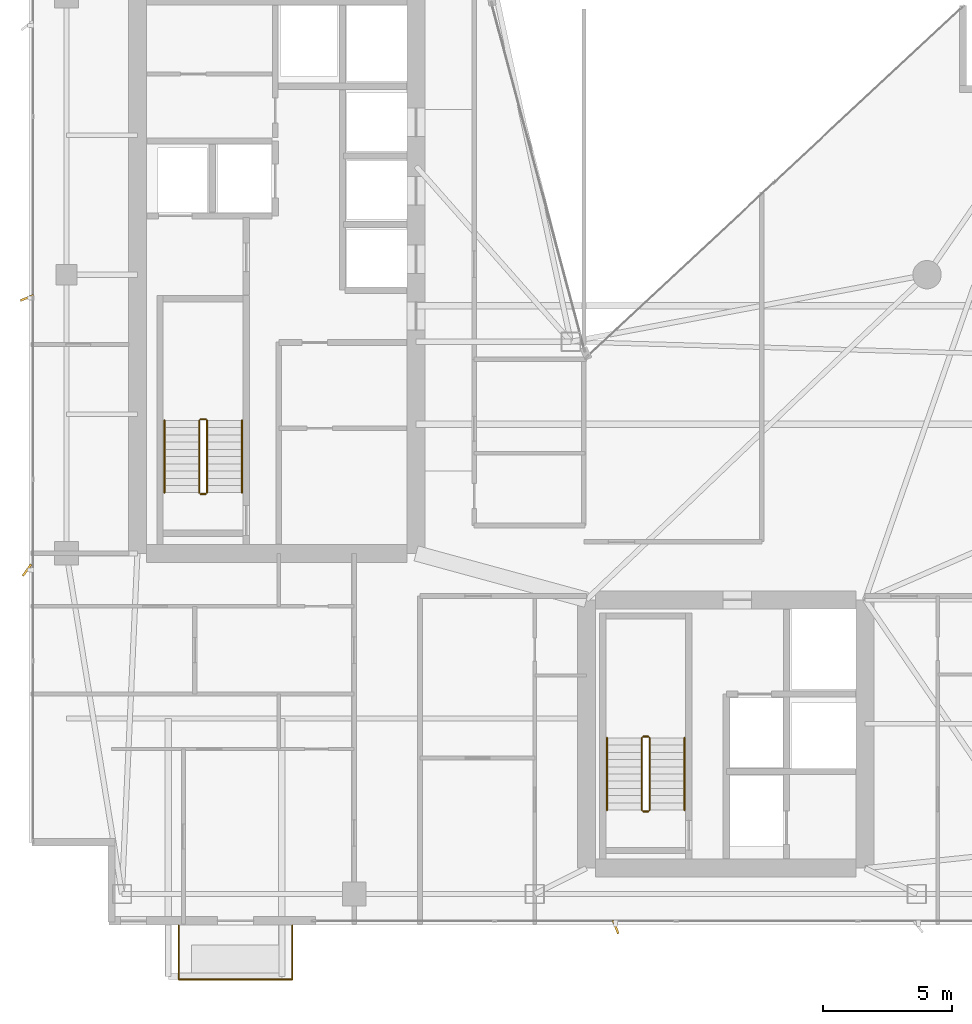
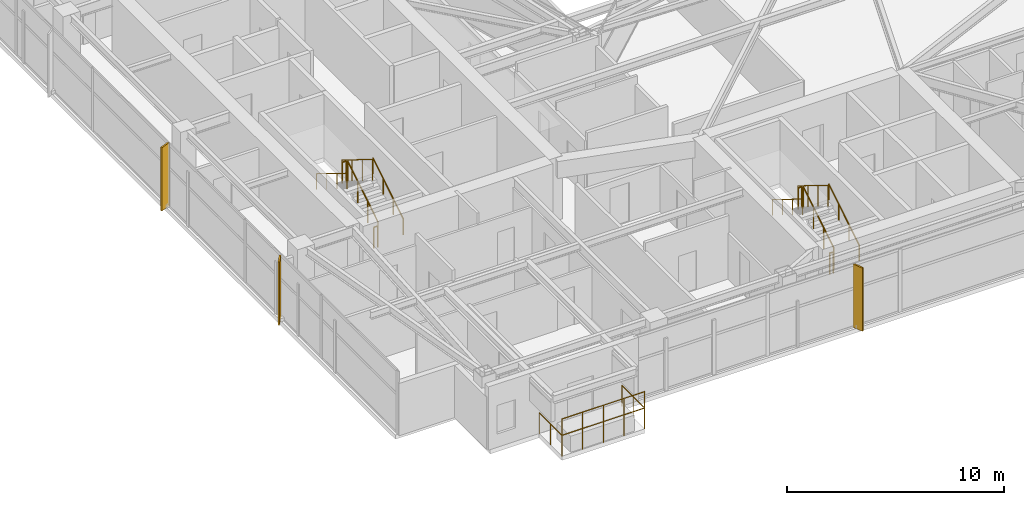
# One storey, part 26 of 27: 14 railings, 3 shading devices.
"""IFC4 building model written with IfcOpenShell, lengths in metres."""

from ifc_helpers import new_model, si_unit, direction, frame, origin, origin_2d, place, context, subcontext, project, spatial, rectangle, circle, extrude, material, type_object, element, save


model = new_model("IFC4")

# Units and contexts
model_context = context("Model", 3, precision=1e-05, world=origin(), true_north=direction((0.0, 1.0)))
body_context = subcontext(model_context, "Body", "Model", "MODEL_VIEW")
ifc_project = project(units=[si_unit("LENGTHUNIT", "METRE"), si_unit("AREAUNIT", "SQUARE_METRE"), si_unit("VOLUMEUNIT", "CUBIC_METRE"), si_unit("PLANEANGLEUNIT", "RADIAN"), si_unit("MASSUNIT", "GRAM", prefix="KILO")], contexts=[model_context])

# Site, building, storey
site_placement = place(None, origin())
site = spatial("IfcSite", under=ifc_project, at=site_placement, CompositionType="ELEMENT")
building_placement = place(site_placement, origin())
building = spatial("IfcBuilding", under=site, at=building_placement, Name="Calvorn Quay Hotel", CompositionType="ELEMENT")
storey_placement = place(building_placement, frame((0.0, 0.0, 226.89990234375)))
storey = spatial("IfcBuildingStorey", under=building, at=storey_placement, Name="L56", CompositionType="ELEMENT", Elevation=226.89990234375)

# Railings
ifc_material_1 = material(Name="Pale Anodised Aluminium and Laminated Glass", Category="aluminium")
railing_type_1 = type_object("IfcRailingType", Name="RLG-BALUSTRADE-1200", PredefinedType="BALUSTRADE", material=ifc_material_1)
railing_1_placement = place(storey_placement, frame((5.800048828125, 2.389892578125, 0.0)))
element("IfcRailing", 1, at=railing_1_placement, inside=storey, type_object=railing_type_1, Name="Tree Balcony Perimeter Balustrade L56-BALC-S", PredefinedType="BALUSTRADE", context=body_context, shape_type="SweptSolid", body=[
    extrude(circle(Radius=0.02392578125, at=origin_2d()), frame((0.0, 0.0, 1.17578125), z_axis=(0.0, -1.0, 0.0), x_axis=(1.0, 0.0, 0.0)), (0.0, 0.0, 1.0), 2.099853515625),
    extrude(circle(Radius=0.02392578125, at=origin_2d()), frame((0.0, -2.099853515625, 1.17578125), z_axis=(1.0, 0.0, 0.0), x_axis=(0.0, 1.0, 0.0)), (0.0, 0.0, 1.0), 4.39990234375),
    extrude(circle(Radius=0.02392578125, at=origin_2d()), frame((4.39990234375, -2.099853515625, 1.17578125), z_axis=(0.0, 1.0, 0.0), x_axis=(-1.0, 0.0, 0.0)), (0.0, 0.0, 1.0), 2.099853515625),
    extrude(circle(Radius=0.02099609375, at=origin_2d()), origin(), (0.0, 0.0, 1.0), 1.15185546875),
    extrude(circle(Radius=0.02099609375, at=origin_2d()), frame((0.0, -1.0498046875, 0.0)), (0.0, 0.0, 1.0), 1.15185546875),
    extrude(circle(Radius=0.02099609375, at=origin_2d()), frame((0.0, -2.099853515625, 0.0)), (0.0, 0.0, 1.0), 1.15185546875),
    extrude(circle(Radius=0.02099609375, at=origin_2d()), frame((1.10009765625, -2.099853515625, 0.0)), (0.0, 0.0, 1.0), 1.15185546875),
    extrude(circle(Radius=0.02099609375, at=origin_2d()), frame((2.199951171875, -2.099853515625, 0.0)), (0.0, 0.0, 1.0), 1.15185546875),
    extrude(circle(Radius=0.02099609375, at=origin_2d()), frame((3.2998046875, -2.099853515625, 0.0)), (0.0, 0.0, 1.0), 1.15185546875),
    extrude(circle(Radius=0.02099609375, at=origin_2d()), frame((4.39990234375, -2.099853515625, 0.0)), (0.0, 0.0, 1.0), 1.15185546875),
    extrude(circle(Radius=0.02099609375, at=origin_2d()), frame((4.39990234375, -1.0498046875, 0.0)), (0.0, 0.0, 1.0), 1.15185546875),
    extrude(circle(Radius=0.02099609375, at=origin_2d()), frame((4.39990234375, 0.0, 0.0)), (0.0, 0.0, 1.0), 1.15185546875),
])
railing_2_placement = place(storey_placement, frame((5.800048828125, 0.2900390625, 0.900146484375)))
element("IfcRailing", 2, at=railing_2_placement, inside=storey, type_object=railing_type_1, Name="Planter Kerb High Safety Screen L56-BALC-S", PredefinedType="BALUSTRADE", context=body_context, shape_type="SweptSolid", body=[
    extrude(circle(Radius=0.02392578125, at=origin_2d()), frame((0.0, 0.0, 1.19580078125), z_axis=(1.0, 0.0, 0.0), x_axis=(0.0, 1.0, 0.0)), (0.0, 0.0, 1.0), 4.39990234375),
    extrude(circle(Radius=0.02099609375, at=origin_2d()), origin(), (0.0, 0.0, 1.0), 1.171875),
    extrude(circle(Radius=0.02099609375, at=origin_2d()), frame((1.10009765625, 0.0, 0.0)), (0.0, 0.0, 1.0), 1.171875),
    extrude(circle(Radius=0.02099609375, at=origin_2d()), frame((2.199951171875, 0.0, 0.0)), (0.0, 0.0, 1.0), 1.171875),
    extrude(circle(Radius=0.02099609375, at=origin_2d()), frame((3.2998046875, 0.0, 0.0)), (0.0, 0.0, 1.0), 1.171875),
    extrude(circle(Radius=0.02099609375, at=origin_2d()), frame((4.39990234375, 0.0, 0.0)), (0.0, 0.0, 1.0), 1.171875),
])
ifc_material_2 = material(Name="Brushed Stainless Steel Handrail", Category="steel")
railing_type_2 = type_object("IfcRailingType", Name="RLG-HANDRAIL-900", PredefinedType="HANDRAIL", material=ifc_material_2)
railing_3_placement = place(storey_placement, frame((8.25, 19.14990234375, 0.1728515625)))
element("IfcRailing", 3, at=railing_3_placement, inside=storey, type_object=railing_type_2, Name="L56 ST-W stair handrail 1", PredefinedType="HANDRAIL", context=body_context, shape_type="SweptSolid", body=[
    extrude(circle(Radius=0.02392578125, at=origin_2d()), frame((0.0, 0.0, 0.8759765625), z_axis=(0.0, 0.851089632645, 0.525020415988), x_axis=(-1.0, 0.0, 0.0)), (0.0, 0.0, 1.0), 3.2900390625),
    extrude(circle(Radius=0.02099609375, at=origin_2d()), origin(), (0.0, 0.0, 1.0), 0.851806640625),
    extrude(circle(Radius=0.02099609375, at=origin_2d()), frame((0.0, 0.933349609375, 0.57568359375)), (0.0, 0.0, 1.0), 0.851806640625),
    extrude(circle(Radius=0.02099609375, at=origin_2d()), frame((0.0, 1.86669921875, 1.151611328125)), (0.0, 0.0, 1.0), 0.851806640625),
    extrude(circle(Radius=0.02099609375, at=origin_2d()), frame((0.0, 2.800048828125, 1.727294921875)), (0.0, 0.0, 1.0), 0.851806640625),
])
railing_4_placement = place(storey_placement, frame((5.25, 21.949951171875, 2.07275390625)))
element("IfcRailing", 4, at=railing_4_placement, inside=storey, type_object=railing_type_2, Name="L56 ST-W stair handrail 2", PredefinedType="HANDRAIL", context=body_context, shape_type="SweptSolid", body=[
    extrude(circle(Radius=0.02392578125, at=origin_2d()), frame((0.0, 0.0, 0.8759765625), z_axis=(0.0, -0.851089632645, 0.525020415988), x_axis=(1.0, 0.0, 0.0)), (0.0, 0.0, 1.0), 3.2900390625),
    extrude(circle(Radius=0.02099609375, at=origin_2d()), origin(), (0.0, 0.0, 1.0), 0.851806640625),
    extrude(circle(Radius=0.02099609375, at=origin_2d()), frame((0.0, -0.933349609375, 0.57568359375)), (0.0, 0.0, 1.0), 0.851806640625),
    extrude(circle(Radius=0.02099609375, at=origin_2d()), frame((0.0, -1.86669921875, 1.151611328125)), (0.0, 0.0, 1.0), 0.851806640625),
    extrude(circle(Radius=0.02099609375, at=origin_2d()), frame((0.0, -2.800048828125, 1.727294921875)), (0.0, 0.0, 1.0), 0.851806640625),
])
railing_5_placement = place(storey_placement, frame((25.39990234375, 6.85009765625, 0.1728515625)))
element("IfcRailing", 5, at=railing_5_placement, inside=storey, type_object=railing_type_2, Name="L56 ST-E stair handrail 1", PredefinedType="HANDRAIL", context=body_context, shape_type="SweptSolid", body=[
    extrude(circle(Radius=0.02392578125, at=origin_2d()), frame((0.0, 0.0, 0.8759765625), z_axis=(0.0, 0.851069175582, 0.525053576669), x_axis=(-1.0, 0.0, 0.0)), (0.0, 0.0, 1.0), 3.289794921875),
    extrude(circle(Radius=0.02099609375, at=origin_2d()), origin(), (0.0, 0.0, 1.0), 0.851806640625),
    extrude(circle(Radius=0.02099609375, at=origin_2d()), frame((0.0, 0.933349609375, 0.57568359375)), (0.0, 0.0, 1.0), 0.851806640625),
    extrude(circle(Radius=0.02099609375, at=origin_2d()), frame((0.0, 1.866455078125, 1.151611328125)), (0.0, 0.0, 1.0), 0.851806640625),
    extrude(circle(Radius=0.02099609375, at=origin_2d()), frame((0.0, 2.7998046875, 1.727294921875)), (0.0, 0.0, 1.0), 0.851806640625),
])
railing_6_placement = place(storey_placement, frame((22.39990234375, 9.64990234375, 2.07275390625)))
element("IfcRailing", 6, at=railing_6_placement, inside=storey, type_object=railing_type_2, Name="L56 ST-E stair handrail 2", PredefinedType="HANDRAIL", context=body_context, shape_type="SweptSolid", body=[
    extrude(circle(Radius=0.02392578125, at=origin_2d()), frame((0.0, 0.0, 0.8759765625), z_axis=(0.0, -0.851069175582, 0.525053576669), x_axis=(1.0, 0.0, 0.0)), (0.0, 0.0, 1.0), 3.289794921875),
    extrude(circle(Radius=0.02099609375, at=origin_2d()), origin(), (0.0, 0.0, 1.0), 0.851806640625),
    extrude(circle(Radius=0.02099609375, at=origin_2d()), frame((0.0, -0.933349609375, 0.57568359375)), (0.0, 0.0, 1.0), 0.851806640625),
    extrude(circle(Radius=0.02099609375, at=origin_2d()), frame((0.0, -1.866455078125, 1.151611328125)), (0.0, 0.0, 1.0), 0.851806640625),
    extrude(circle(Radius=0.02099609375, at=origin_2d()), frame((0.0, -2.7998046875, 1.727294921875)), (0.0, 0.0, 1.0), 0.851806640625),
])
ifc_material_3 = material(Name="Painted Galvanised Steel Balustrade", Category="steel")
railing_type_3 = type_object("IfcRailingType", Name="RLG-STAIR-GUARD-1120", PredefinedType="GUARDRAIL", material=ifc_material_3)
railing_7_placement = place(storey_placement, frame((6.89990234375, 19.14990234375, 0.1728515625)))
element("IfcRailing", 7, at=railing_7_placement, inside=storey, type_object=railing_type_3, Name="L56 ST-W stair guard 1", PredefinedType="GUARDRAIL", context=body_context, shape_type="SweptSolid", body=[
    extrude(circle(Radius=0.02392578125, at=origin_2d()), frame((0.0, 0.0, 1.17578125), z_axis=(0.0, 0.851089632645, 0.525020415988), x_axis=(-1.0, 0.0, 0.0)), (0.0, 0.0, 1.0), 3.2900390625),
    extrude(circle(Radius=0.02099609375, at=origin_2d()), origin(), (0.0, 0.0, 1.0), 1.15185546875),
    extrude(circle(Radius=0.02099609375, at=origin_2d()), frame((0.0, 0.933349609375, 0.57568359375)), (0.0, 0.0, 1.0), 1.15185546875),
    extrude(circle(Radius=0.02099609375, at=origin_2d()), frame((0.0, 1.86669921875, 1.151611328125)), (0.0, 0.0, 1.0), 1.15185546875),
    extrude(circle(Radius=0.02099609375, at=origin_2d()), frame((0.0, 2.800048828125, 1.727294921875)), (0.0, 0.0, 1.0), 1.15185546875),
])
railing_8_placement = place(storey_placement, frame((6.85009765625, 22.0, 1.900146484375)))
element("IfcRailing", 8, at=railing_8_placement, inside=storey, type_object=railing_type_3, Name="L56 ST-W stair guard 2", PredefinedType="GUARDRAIL", context=body_context, shape_type="SweptSolid", body=[
    extrude(circle(Radius=0.02392578125, at=origin_2d()), frame((0.0, 0.0, 1.17578125), z_axis=(-1.0, 0.0, 0.0), x_axis=(0.0, -1.0, 0.0)), (0.0, 0.0, 1.0), 0.2001953125),
    extrude(circle(Radius=0.02099609375, at=origin_2d()), origin(), (0.0, 0.0, 1.0), 1.15185546875),
    extrude(circle(Radius=0.02099609375, at=origin_2d()), frame((-0.2001953125, 0.0, 0.0)), (0.0, 0.0, 1.0), 1.15185546875),
])
railing_9_placement = place(storey_placement, frame((6.60009765625, 21.949951171875, 2.07275390625)))
element("IfcRailing", 9, at=railing_9_placement, inside=storey, type_object=railing_type_3, Name="L56 ST-W stair guard 3", PredefinedType="GUARDRAIL", context=body_context, shape_type="SweptSolid", body=[
    extrude(circle(Radius=0.02392578125, at=origin_2d()), frame((0.0, 0.0, 1.17578125), z_axis=(0.0, -0.851089632645, 0.525020415988), x_axis=(1.0, 0.0, 0.0)), (0.0, 0.0, 1.0), 3.2900390625),
    extrude(circle(Radius=0.02099609375, at=origin_2d()), origin(), (0.0, 0.0, 1.0), 1.15185546875),
    extrude(circle(Radius=0.02099609375, at=origin_2d()), frame((0.0, -0.933349609375, 0.57568359375)), (0.0, 0.0, 1.0), 1.15185546875),
    extrude(circle(Radius=0.02099609375, at=origin_2d()), frame((0.0, -1.86669921875, 1.151611328125)), (0.0, 0.0, 1.0), 1.15185546875),
    extrude(circle(Radius=0.02099609375, at=origin_2d()), frame((0.0, -2.800048828125, 1.727294921875)), (0.0, 0.0, 1.0), 1.15185546875),
])
railing_10_placement = place(storey_placement, frame((6.85009765625, 19.10009765625, 0.0)))
element("IfcRailing", 10, at=railing_10_placement, inside=storey, type_object=railing_type_3, Name="L56 ST-W stair guard 4", PredefinedType="GUARDRAIL", context=body_context, shape_type="SweptSolid", body=[
    extrude(circle(Radius=0.02392578125, at=origin_2d()), frame((0.0, 0.0, 1.17578125), z_axis=(-1.0, 0.0, 0.0), x_axis=(0.0, -1.0, 0.0)), (0.0, 0.0, 1.0), 0.2001953125),
    extrude(circle(Radius=0.02099609375, at=origin_2d()), origin(), (0.0, 0.0, 1.0), 1.15185546875),
    extrude(circle(Radius=0.02099609375, at=origin_2d()), frame((-0.2001953125, 0.0, 0.0)), (0.0, 0.0, 1.0), 1.15185546875),
])
railing_11_placement = place(storey_placement, frame((24.050048828125, 6.85009765625, 0.1728515625)))
element("IfcRailing", 11, at=railing_11_placement, inside=storey, type_object=railing_type_3, Name="L56 ST-E stair guard 1", PredefinedType="GUARDRAIL", context=body_context, shape_type="SweptSolid", body=[
    extrude(circle(Radius=0.02392578125, at=origin_2d()), frame((0.0, 0.0, 1.17578125), z_axis=(0.0, 0.851069175582, 0.525053576669), x_axis=(-1.0, 0.0, 0.0)), (0.0, 0.0, 1.0), 3.289794921875),
    extrude(circle(Radius=0.02099609375, at=origin_2d()), origin(), (0.0, 0.0, 1.0), 1.15185546875),
    extrude(circle(Radius=0.02099609375, at=origin_2d()), frame((0.0, 0.933349609375, 0.57568359375)), (0.0, 0.0, 1.0), 1.15185546875),
    extrude(circle(Radius=0.02099609375, at=origin_2d()), frame((0.0, 1.866455078125, 1.151611328125)), (0.0, 0.0, 1.0), 1.15185546875),
    extrude(circle(Radius=0.02099609375, at=origin_2d()), frame((0.0, 2.7998046875, 1.727294921875)), (0.0, 0.0, 1.0), 1.15185546875),
])
railing_12_placement = place(storey_placement, frame((24.0, 9.699951171875, 1.900146484375)))
element("IfcRailing", 12, at=railing_12_placement, inside=storey, type_object=railing_type_3, Name="L56 ST-E stair guard 2", PredefinedType="GUARDRAIL", context=body_context, shape_type="SweptSolid", body=[
    extrude(circle(Radius=0.02392578125, at=origin_2d()), frame((0.0, 0.0, 1.17578125), z_axis=(-1.0, 0.0, 0.0), x_axis=(0.0, -1.0, 0.0)), (0.0, 0.0, 1.0), 0.199951171875),
    extrude(circle(Radius=0.02099609375, at=origin_2d()), origin(), (0.0, 0.0, 1.0), 1.15185546875),
    extrude(circle(Radius=0.02099609375, at=origin_2d()), frame((-0.199951171875, 0.0, 0.0)), (0.0, 0.0, 1.0), 1.15185546875),
])
railing_13_placement = place(storey_placement, frame((23.75, 9.64990234375, 2.07275390625)))
element("IfcRailing", 13, at=railing_13_placement, inside=storey, type_object=railing_type_3, Name="L56 ST-E stair guard 3", PredefinedType="GUARDRAIL", context=body_context, shape_type="SweptSolid", body=[
    extrude(circle(Radius=0.02392578125, at=origin_2d()), frame((0.0, 0.0, 1.17578125), z_axis=(0.0, -0.851069175582, 0.525053576669), x_axis=(1.0, 0.0, 0.0)), (0.0, 0.0, 1.0), 3.289794921875),
    extrude(circle(Radius=0.02099609375, at=origin_2d()), origin(), (0.0, 0.0, 1.0), 1.15185546875),
    extrude(circle(Radius=0.02099609375, at=origin_2d()), frame((0.0, -0.933349609375, 0.57568359375)), (0.0, 0.0, 1.0), 1.15185546875),
    extrude(circle(Radius=0.02099609375, at=origin_2d()), frame((0.0, -1.866455078125, 1.151611328125)), (0.0, 0.0, 1.0), 1.15185546875),
    extrude(circle(Radius=0.02099609375, at=origin_2d()), frame((0.0, -2.7998046875, 1.727294921875)), (0.0, 0.0, 1.0), 1.15185546875),
])
railing_14_placement = place(storey_placement, frame((24.0, 6.800048828125, 0.0)))
element("IfcRailing", 14, at=railing_14_placement, inside=storey, type_object=railing_type_3, Name="L56 ST-E stair guard 4", PredefinedType="GUARDRAIL", context=body_context, shape_type="SweptSolid", body=[
    extrude(circle(Radius=0.02392578125, at=origin_2d()), frame((0.0, 0.0, 1.17578125), z_axis=(-1.0, 0.0, 0.0), x_axis=(0.0, -1.0, 0.0)), (0.0, 0.0, 1.0), 0.199951171875),
    extrude(circle(Radius=0.02099609375, at=origin_2d()), origin(), (0.0, 0.0, 1.0), 1.15185546875),
    extrude(circle(Radius=0.02099609375, at=origin_2d()), frame((-0.199951171875, 0.0, 0.0)), (0.0, 0.0, 1.0), 1.15185546875),
])

# Shading devices
ifc_material_4 = material(Name="Champagne Bronze Anodised Aluminium 6063-T6", Category="aluminium")
shading_device_type_1 = type_object("IfcShadingDeviceType", Name="SHD-FIN-A1", PredefinedType="USERDEFINED", material=ifc_material_4)
for number, where, z_axis, x_axis, name in (
    (15, (-0.080078125, 26.699951171875, 0.0), (0.0, 0.0, 1.0), (0.927183854567, 0.374606593416, 0.0), "Diagonal Sun-Shading Fin L56-W02"),
    (16, (22.73291015625, 2.320068359375, 0.0), (0.0, 0.0, 1.0), (-0.374606593416, 0.927183854567, 0.0), "Diagonal Sun-Shading Fin L56-S01"),
):
    element("IfcShadingDevice", number, at=place(storey_placement, frame(where, z_axis=z_axis, x_axis=x_axis)), inside=storey, type_object=shading_device_type_1, Name=name, ObjectType="FIN", PredefinedType="USERDEFINED", context=body_context, shape_type="SweptSolid", body=[
        extrude(rectangle(XDim=0.550048828125, YDim=0.080078125, at=origin_2d()), origin(), (0.0, 0.0, 1.0), 3.56005859375),
    ])
ifc_material_5 = material(Name="Champagne Bronze Anodised Aluminium 6063-T6", Category="aluminium")
shading_device_type_2 = type_object("IfcShadingDeviceType", Name="SHD-FIN-A3", PredefinedType="USERDEFINED", material=ifc_material_5)
shading_device_placement = place(storey_placement, frame((-0.080078125, 16.14990234375, 0.0), z_axis=(0.0, 0.0, 1.0), x_axis=(0.587785252292, 0.809016994375, 0.0)))
element("IfcShadingDevice", 17, at=shading_device_placement, inside=storey, type_object=shading_device_type_2, Name="Diagonal Sun-Shading Fin L56-W01", ObjectType="FIN", PredefinedType="USERDEFINED", context=body_context, shape_type="SweptSolid", body=[
    extrude(rectangle(XDim=0.550048828125, YDim=0.080078125, at=origin_2d()), origin(), (0.0, 0.0, 1.0), 3.56005859375),
])

save(model, "model.ifc")
